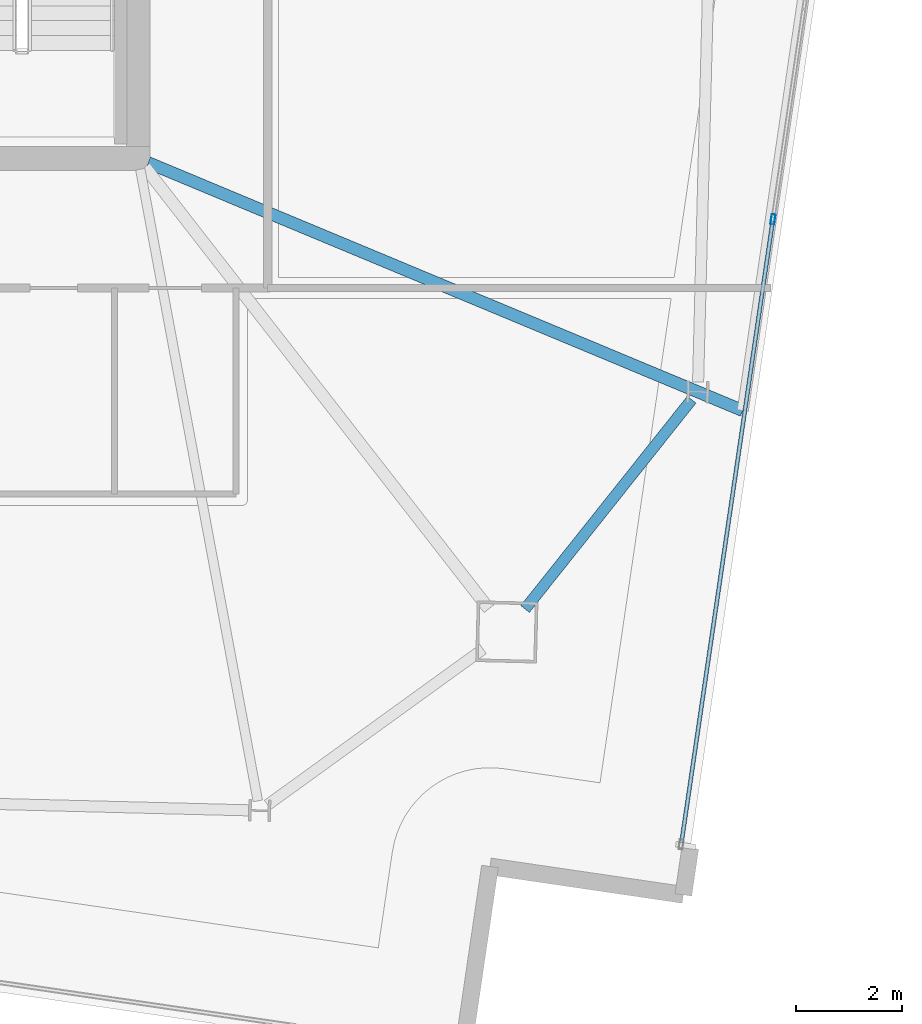
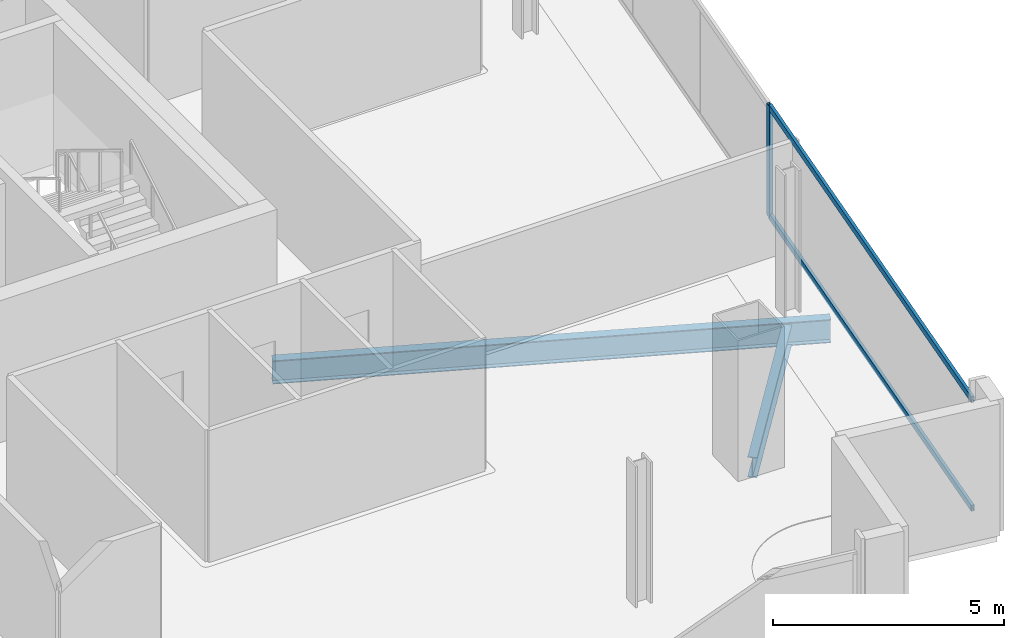
# One storey, part 8 of 22: 3 members, 2 beams, 1 element without a shape of its own.
"""IFC4 building model written with IfcOpenShell, lengths in metres."""

from ifc_helpers import new_model, si_unit, direction, frame, origin, origin_2d, place, context, subcontext, project, spatial, hollow_rectangle, i_section, extrude, material, material_profile, profile_set, type_object, element, aggregate, save


model = new_model("IFC4")

# Units and contexts
model_context = context("Model", 3, precision=1e-05, world=origin(), true_north=direction((0.0, 1.0)))
body_context = subcontext(model_context, "Body", "Model", "MODEL_VIEW")
ifc_project = project(units=[si_unit("LENGTHUNIT", "METRE"), si_unit("AREAUNIT", "SQUARE_METRE"), si_unit("VOLUMEUNIT", "CUBIC_METRE"), si_unit("PLANEANGLEUNIT", "RADIAN"), si_unit("MASSUNIT", "GRAM", prefix="KILO")], contexts=[model_context])

# Site, building, storey
site_placement = place(None, origin())
site = spatial("IfcSite", under=ifc_project, at=site_placement, CompositionType="ELEMENT")
building_placement = place(site_placement, origin())
building = spatial("IfcBuilding", under=site, at=building_placement, Name="Haldenkirk Collegiate Tower", CompositionType="ELEMENT")
storey_placement = place(building_placement, frame((0.0, 0.0, 302.699951171875)))
storey = spatial("IfcBuildingStorey", under=building, at=storey_placement, Name="L76", CompositionType="ELEMENT", Elevation=302.699951171875)

# Beams
ifc_material_1 = material(Name="Steel ASTM A992 Grade 50", Category="steel")
ifc_material_profile_1 = material_profile(ifc_material_1, i_section(OverallWidth=0.22998046875, OverallDepth=0.616943359375, WebThickness=0.01318359375, FlangeThickness=0.022216796875, at=origin_2d()), Name="W24X94")
ifc_profile_set_1 = profile_set([ifc_material_profile_1], Name="Steel ASTM A992 Grade 50")
beam_type_1 = type_object("IfcBeamType", Name="BM-GIRDER-W24X94", PredefinedType="BEAM", material=ifc_profile_set_1)
beam_1_placement = place(storey_placement, frame((56.4423828125, 13.22998046875, -0.568359375), z_axis=(-0.923008776459, 0.384778895704, 0.0), x_axis=(-0.384778895704, -0.923008776459, 0.0)))
element("IfcBeam", 1, at=beam_1_placement, inside=storey, type_object=beam_type_1, Name="L76 primary floor girder 05", PredefinedType="BEAM", context=body_context, shape_type="SweptSolid", body=[
    extrude(i_section(OverallWidth=0.22998046875, OverallDepth=0.616943359375, WebThickness=0.01318359375, FlangeThickness=0.022216796875, at=origin_2d()), origin(), (0.0, 0.0, 1.0), 12.19189453125),
])
ifc_material_profile_2 = material_profile(ifc_material_1, i_section(OverallWidth=0.2099609375, OverallDepth=0.537109375, WebThickness=0.010986328125, FlangeThickness=0.017333984375, at=origin_2d()), Name="W21X68")
ifc_profile_set_2 = profile_set([ifc_material_profile_2], Name="Steel ASTM A992 Grade 50")
beam_type_2 = type_object("IfcBeamType", Name="BM-SPANDREL-W21X68", PredefinedType="SPANDREL", material=ifc_profile_set_2)
beam_2_placement = place(storey_placement, frame((52.321533203125, 9.474609375, -0.528564453125), z_axis=(0.622700032294, 0.782460650628, 0.0), x_axis=(-0.782460650628, 0.622700032294, 0.0)))
element("IfcBeam", 2, at=beam_2_placement, inside=storey, type_object=beam_type_2, Name="L76 perimeter spandrel beam 01", PredefinedType="SPANDREL", context=body_context, shape_type="SweptSolid", body=[
    extrude(i_section(OverallWidth=0.2099609375, OverallDepth=0.537109375, WebThickness=0.010986328125, FlangeThickness=0.017333984375, at=origin_2d()), origin(), (0.0, 0.0, 1.0), 5.064453125),
])

# Curtain wall, members
ifc_material_2 = material(Name="Anodised architectural bronze aluminium", Category="aluminium")
curtain_wall_type = type_object("IfcCurtainWallType", Name="CW-SYS2-CONCAVE", PredefinedType="USERDEFINED", material=ifc_material_2)
curtain_wall_placement = place(storey_placement, origin())
curtain_wall = element("IfcCurtainWall", 3, at=curtain_wall_placement, inside=storey, type_object=curtain_wall_type, Name="L76 South concave recessed bronze-anodised curtain wall", ObjectType="UNITISED CURTAIN WALL", PredefinedType="USERDEFINED")
ifc_material_profile_3 = material_profile(ifc_material_2, hollow_rectangle(XDim=0.074951171875, YDim=0.18994140625, WallThickness=0.0048828125, at=origin_2d()), Name="CW-MUL-02")
ifc_profile_set_3 = profile_set([ifc_material_profile_3], Name="Anodised architectural bronze aluminium")
member_type_1 = type_object("IfcMemberType", Name="CW-MUL-02", PredefinedType="MULLION", material=ifc_profile_set_3)
member_1_placement = place(storey_placement, frame((57.01416015625, 16.851318359375, 0.0), z_axis=(0.0, 0.0, 1.0), x_axis=(0.989399423446, -0.145219767539, 0.0)))
member_1 = element("IfcMember", 4, at=member_1_placement, type_object=member_type_1, Name="CW-02 mullion 3", PredefinedType="MULLION", context=body_context, shape_type="SweptSolid", body=[
    extrude(hollow_rectangle(XDim=0.074951171875, YDim=0.18994140625, WallThickness=0.0048828125, at=origin_2d()), origin(), (0.0, 0.0, 1.0), 2.947998046875),
])
ifc_material_profile_4 = material_profile(ifc_material_2, hollow_rectangle(XDim=0.074951171875, YDim=0.159912109375, WallThickness=0.0048828125, at=origin_2d()), Name="CW-TRN-02")
ifc_profile_set_4 = profile_set([ifc_material_profile_4], Name="Anodised architectural bronze aluminium")
member_type_2 = type_object("IfcMemberType", Name="CW-TRN-02", PredefinedType="USERDEFINED", material=ifc_profile_set_4)
member_2_placement = place(storey_placement, frame((57.0087890625, 16.814208984375, 0.03759765625), z_axis=(-0.145221413897, -0.9893991818, 0.0), x_axis=(0.9893991818, -0.145221413897, 0.0)))
member_2 = element("IfcMember", 5, at=member_2_placement, type_object=member_type_2, Name="CW-02 transom 3.1", ObjectType="TRANSOM", PredefinedType="USERDEFINED", context=body_context, shape_type="SweptSolid", body=[
    extrude(hollow_rectangle(XDim=0.074951171875, YDim=0.159912109375, WallThickness=0.0048828125, at=origin_2d()), origin(), (0.0, 0.0, 1.0), 11.887451171875),
])
member_3_placement = place(storey_placement, frame((57.0087890625, 16.814208984375, 2.91064453125), z_axis=(-0.145221413897, -0.9893991818, 0.0), x_axis=(0.9893991818, -0.145221413897, 0.0)))
member_3 = element("IfcMember", 6, at=member_3_placement, type_object=member_type_2, Name="CW-02 transom 3.2", ObjectType="TRANSOM", PredefinedType="USERDEFINED", context=body_context, shape_type="SweptSolid", body=[
    extrude(hollow_rectangle(XDim=0.074951171875, YDim=0.159912109375, WallThickness=0.0048828125, at=origin_2d()), origin(), (0.0, 0.0, 1.0), 11.887451171875),
])
aggregate(curtain_wall, [member_1, member_2, member_3])

save(model, "model.ifc")
